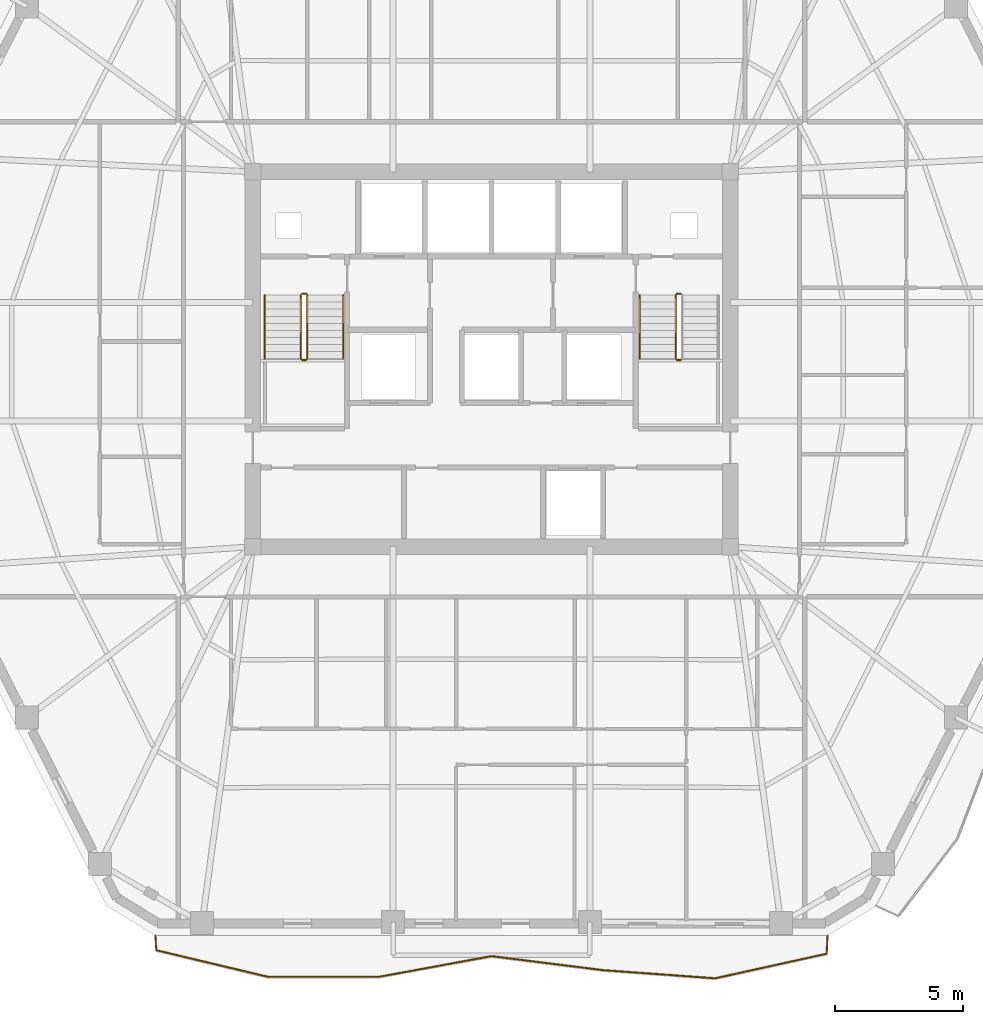
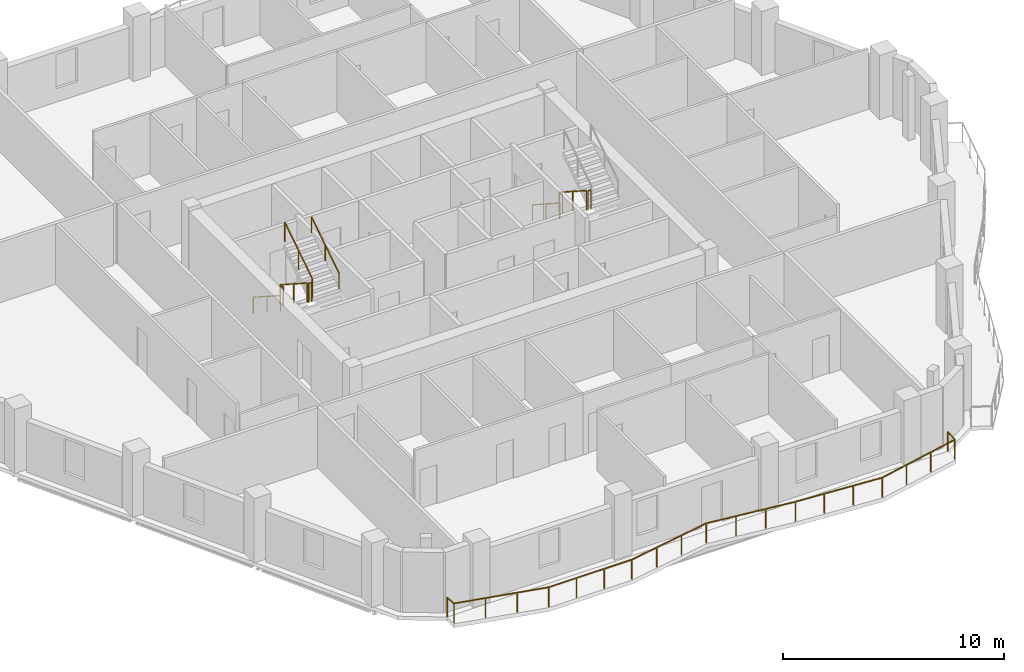
# One storey, part 9 of 10: 11 railings.
"""IFC4 building model written with IfcOpenShell, lengths in metres."""

import ifcopenshell
import ifcopenshell.guid

model = None  # the IFC model being written
_history = None  # IfcOwnerHistory: only IFC2X3 demands one
_inside = {}  # id of a spatial element -> (the spatial element, [elements in it])
_under = {}  # id of a project, library or spatial element -> (it, [spatial elements below it])
_declared = {}  # id of a project -> (the project, [libraries it declares])
_typed = {}  # id of a type object -> (the type object, [elements of that type])
_made_of = {}  # id of a material, layer set ... -> (it, [elements and type objects made of it])


def new_model(schema):
    """Start an empty IFC model of exactly this schema.

    Asked for "IFC4X3", IfcOpenShell would pick the latest addendum, in which some entities
    have other attributes; the version numbers below select the first issue.
    IFC2X3 requires an IfcOwnerHistory on every rooted entity: one is made here for all.
    """
    global model, _history
    if schema == "IFC4X3":
        model = ifcopenshell.file(schema_version=(4, 3, 0, 0))
    else:
        model = ifcopenshell.file(schema=schema)
    _inside.clear()
    _under.clear()
    _declared.clear()
    _typed.clear()
    _made_of.clear()
    _history = None
    if model.schema == "IFC2X3":
        org = make("IfcOrganization", Name="unknown")
        user = make(
            "IfcPersonAndOrganization",
            ThePerson=make("IfcPerson", FamilyName="unknown"),
            TheOrganization=org,
        )
        app = make(
            "IfcApplication",
            ApplicationDeveloper=org,
            Version="unknown",
            ApplicationFullName="unknown",
            ApplicationIdentifier="unknown",
        )
        _history = make(
            "IfcOwnerHistory",
            OwningUser=user,
            OwningApplication=app,
            ChangeAction="ADDED",
            CreationDate=0,
        )
    return model


def make(cls, **values):
    """One entity of the class cls with the attributes given. An attribute that is None is left unset."""
    return model.create_entity(
        cls, **{name: value for name, value in values.items() if value is not None}
    )


def rooted(cls, **values):
    """An entity with a GlobalId (a new one), such as an element, a storey or a relation."""
    return make(cls, GlobalId=ifcopenshell.guid.new(), OwnerHistory=_history, **values)


def si_unit(unit_type, name, prefix=None):
    """IfcSIUnit, for example si_unit("LENGTHUNIT", "METRE", prefix="MILLI")."""
    return make("IfcSIUnit", UnitType=unit_type, Prefix=prefix, Name=name)


def assignment(units):
    """IfcUnitAssignment: the units of a project."""
    return None if units is None else make("IfcUnitAssignment", Units=units)


def point(xyz):
    """IfcCartesianPoint."""
    return None if xyz is None else make("IfcCartesianPoint", Coordinates=xyz)


def direction(xyz):
    """IfcDirection."""
    return None if xyz is None else make("IfcDirection", DirectionRatios=xyz)


def frame(location, z_axis=None, x_axis=None):
    """IfcAxis2Placement3D, a coordinate frame: its origin and axes. An axis left out is left unset."""
    return make(
        "IfcAxis2Placement3D",
        Location=point(location),
        Axis=direction(z_axis),
        RefDirection=direction(x_axis),
    )


def frame_2d(location, x_axis=None):
    """IfcAxis2Placement2D, a coordinate frame in the plane: its origin and x axis."""
    return make(
        "IfcAxis2Placement2D", Location=point(location), RefDirection=direction(x_axis)
    )


def origin():
    """The frame at (0, 0, 0) with its axes left unset."""
    return frame((0.0, 0.0, 0.0))


def origin_2d():
    """The frame at (0, 0) in the plane with its x axis left unset."""
    return frame_2d((0.0, 0.0))


def place(relative_to, where):
    """IfcLocalPlacement: puts the frame where relative to a parent placement (None: the world)."""
    return make(
        "IfcLocalPlacement", PlacementRelTo=relative_to, RelativePlacement=where
    )


def context(
    kind, dimensions, precision=None, world=None, true_north=None, identifier=None
):
    """IfcGeometricRepresentationContext, for example the 3D "Model" context."""
    return make(
        "IfcGeometricRepresentationContext",
        ContextIdentifier=identifier,
        ContextType=kind,
        CoordinateSpaceDimension=dimensions,
        Precision=precision,
        WorldCoordinateSystem=world,
        TrueNorth=true_north,
    )


def subcontext(parent, identifier, kind, view, scale=None):
    """IfcGeometricRepresentationSubContext, for example "Body" below "Model"."""
    return make(
        "IfcGeometricRepresentationSubContext",
        ContextIdentifier=identifier,
        ContextType=kind,
        ParentContext=parent,
        TargetScale=scale,
        TargetView=view,
    )


def project(units=None, contexts=None):
    """IfcProject with its units and contexts."""
    return rooted(
        "IfcProject",
        Name="project",
        RepresentationContexts=contexts,
        UnitsInContext=assignment(units),
    )


def spatial(cls, under=None, at=None, **own):
    """A site, building, storey or space (cls), placed at a placement, below another one or the project."""
    s = rooted(cls, ObjectPlacement=at, **own)
    if under is not None:
        _under.setdefault(under.id(), (under, []))[1].append(s)
    return s


def profile(cls, at=None, kind="AREA", **sizes):
    """A parametric profile (cls). Its sizes go by their IFC names, for example OverallWidth=200.0."""
    return make(cls, ProfileType=kind, Position=at, **sizes)


def rectangle(**sizes):
    """IfcRectangleProfileDef."""
    return profile("IfcRectangleProfileDef", **sizes)


def extrude(swept, where, along, depth):
    """IfcExtrudedAreaSolid: the profile swept, set in the frame where, extruded along a direction by depth."""
    return make(
        "IfcExtrudedAreaSolid",
        SweptArea=swept,
        Position=where,
        ExtrudedDirection=direction(along),
        Depth=depth,
    )


def shape(context_of_items, identifier, shape_type, items):
    """IfcShapeRepresentation: the items that make up one representation, for example the "Body"."""
    return make(
        "IfcShapeRepresentation",
        ContextOfItems=context_of_items,
        RepresentationIdentifier=identifier,
        RepresentationType=shape_type,
        Items=items,
    )


def material(Name=None, Category=None):
    """IfcMaterial."""
    return make("IfcMaterial", Name=Name, Category=Category)


def made_of(thing, what):
    """Note that an element or type object is made of a material, layer set ...; save() writes the relation."""
    if what is not None:
        _made_of.setdefault(what.id(), (what, []))[1].append(thing)
    return thing


def type_object(cls, material=None, **own):
    """A type object (cls), such as IfcWallType, which elements share."""
    return made_of(rooted(cls, **own), material)


def element(
    cls,
    number,
    at=None,
    inside=None,
    cuts=None,
    type_object=None,
    material=None,
    context=None,
    identifier="Body",
    shape_type=None,
    held_by="IfcProductDefinitionShape",
    body=None,
    shapes=None,
    **own,
):
    """One element of the class cls, such as IfcWall. Its Tag is "e" and its number.

    at: its placement. inside: the storey or other place that contains it. cuts: it is an
    opening in that element (IfcRelVoidsElement). A single representation is given by context,
    identifier, shape_type and body (its items); several are given by shapes. held_by: the class
    of the entity that holds the representations. save() writes the other relations.
    """
    e = rooted(cls, Tag="e%d" % number, ObjectPlacement=at, **own)
    if body is not None:
        shapes = [shape(context, identifier, shape_type, body)]
    if shapes is not None:
        e.Representation = make(held_by, Representations=shapes)
    if inside is not None:
        _inside.setdefault(inside.id(), (inside, []))[1].append(e)
    if cuts is not None:
        rooted(
            "IfcRelVoidsElement", RelatingBuildingElement=cuts, RelatedOpeningElement=e
        )
    if type_object is not None:
        _typed.setdefault(type_object.id(), (type_object, []))[1].append(e)
    return made_of(e, material)


def aggregate(whole, parts):
    """IfcRelAggregates: a whole, such as a stair, and the parts it consists of."""
    return rooted("IfcRelAggregates", RelatingObject=whole, RelatedObjects=parts)


def save(model, path):
    """Write the relations noted so far, then the file.

    IfcRelAggregates (storeys below a building ...), IfcRelContainedInSpatialStructure (elements
    in a storey), IfcRelDefinesByType, IfcRelAssociatesMaterial and IfcRelDeclares: one each for
    every whole, place, type object, material and project.
    """
    for whole, parts in _under.values():
        aggregate(whole, parts)
    for where, things in _inside.values():
        rooted(
            "IfcRelContainedInSpatialStructure",
            RelatedElements=things,
            RelatingStructure=where,
        )
    for kind, things in _typed.values():
        rooted("IfcRelDefinesByType", RelatedObjects=things, RelatingType=kind)
    for what, things in _made_of.values():
        rooted("IfcRelAssociatesMaterial", RelatedObjects=things, RelatingMaterial=what)
    for by, libraries in _declared.values():
        rooted("IfcRelDeclares", RelatingContext=by, RelatedDefinitions=libraries)
    model.write(path)


model = new_model("IFC4")

# Units and contexts
model_context = context("Model", 3, precision=1e-05, world=origin(), true_north=direction((0.0, 1.0)))
body_context = subcontext(model_context, "Body", "Model", "MODEL_VIEW")
ifc_project = project(units=[si_unit("LENGTHUNIT", "METRE"), si_unit("AREAUNIT", "SQUARE_METRE"), si_unit("VOLUMEUNIT", "CUBIC_METRE"), si_unit("PLANEANGLEUNIT", "RADIAN"), si_unit("MASSUNIT", "GRAM", prefix="KILO")], contexts=[model_context])

# Site, building, storey
site_placement = place(None, origin())
site = spatial("IfcSite", under=ifc_project, at=site_placement, CompositionType="ELEMENT")
building_placement = place(site_placement, origin())
building = spatial("IfcBuilding", under=site, at=building_placement, Name="Cinnabar Lancet Tower", CompositionType="ELEMENT")
storey_placement = place(building_placement, frame((0.0, 0.0, 160.60009765625)))
storey = spatial("IfcBuildingStorey", under=building, at=storey_placement, Name="L42", CompositionType="ELEMENT", Elevation=160.60009765625)

# Railings
ifc_material_1 = material(Name="Laminated safety glass and bronze stainless steel balustrade", Category="steel")
railing_type_1 = type_object("IfcRailingType", Name="ENV-RLG-BAL-1100", PredefinedType="BALUSTRADE", material=ifc_material_1)
railing_1_placement = place(storey_placement, frame((19.30810546875, 3.449951171875, 0.0)))
element("IfcRailing", 1, at=railing_1_placement, inside=storey, type_object=railing_type_1, Name="L42 Face 1 Wave Balcony Balustrade", PredefinedType="BALUSTRADE", context=body_context, shape_type="SweptSolid", body=[
    extrude(rectangle(XDim=0.048095703125, YDim=0.048095703125, at=origin_2d()), frame((0.0, 0.0, 1.076171875), z_axis=(0.061893251, -0.998082774864, 0.0), x_axis=(0.998082774864, 0.061893251, 0.0)), (0.0, 0.0, 1.0), 0.56396484375),
    extrude(rectangle(XDim=0.048095703125, YDim=0.048095703125, at=origin_2d()), frame((0.034912109375, -0.56298828125, 1.076171875), z_axis=(0.972833722802, -0.231504962751, 0.0), x_axis=(0.231504962751, 0.972833722802, 0.0)), (0.0, 0.0, 1.0), 4.474609375),
    extrude(rectangle(XDim=0.048095703125, YDim=0.048095703125, at=origin_2d()), frame((4.387939453125, -1.598876953125, 1.076171875), z_axis=(0.99999937089, 0.001121704286, 0.0), x_axis=(-0.001121704286, 0.99999937089, 0.0)), (0.0, 0.0, 1.0), 4.35302734375),
    extrude(rectangle(XDim=0.048095703125, YDim=0.048095703125, at=origin_2d()), frame((8.740966796875, -1.593994140625, 1.076171875), z_axis=(0.983510323968, 0.180851991002, 0.0), x_axis=(-0.180851991002, 0.983510323968, 0.0)), (0.0, 0.0, 1.0), 4.423828125),
    extrude(rectangle(XDim=0.048095703125, YDim=0.048095703125, at=origin_2d()), frame((13.091796875, -0.7939453125, 1.076171875), z_axis=(0.992221243177, -0.124486965534, 0.0), x_axis=(0.124486965534, 0.992221243177, 0.0)), (0.0, 0.0, 1.0), 4.38525390625),
    extrude(rectangle(XDim=0.048095703125, YDim=0.048095703125, at=origin_2d()), frame((17.44287109375, -1.33984375, 1.076171875), z_axis=(0.9973403722, -0.072884717049, 0.0), x_axis=(0.072884717049, 0.9973403722, 0.0)), (0.0, 0.0, 1.0), 4.36474609375),
    extrude(rectangle(XDim=0.048095703125, YDim=0.048095703125, at=origin_2d()), frame((21.7958984375, -1.657958984375, 1.076171875), z_axis=(0.976582360931, 0.215143887478, 0.0), x_axis=(-0.215143887478, 0.976582360931, 0.0)), (0.0, 0.0, 1.0), 4.45751953125),
    extrude(rectangle(XDim=0.048095703125, YDim=0.048095703125, at=origin_2d()), frame((26.14892578125, -0.698974609375, 1.076171875), z_axis=(0.049885420004, 0.998754947357, 0.0), x_axis=(-0.998754947357, 0.049885420004, 0.0)), (0.0, 0.0, 1.0), 0.699951171875),
    extrude(rectangle(XDim=0.0419921875, YDim=0.0419921875, at=origin_2d()), origin(), (0.0, 0.0, 1.0), 1.052001953125),
    extrude(rectangle(XDim=0.0419921875, YDim=0.0419921875, at=origin_2d()), frame((0.034912109375, -0.56298828125, 0.0)), (0.0, 0.0, 1.0), 1.052001953125),
    extrude(rectangle(XDim=0.0419921875, YDim=0.0419921875, at=origin_2d()), frame((1.48583984375, -0.908203125, 0.0)), (0.0, 0.0, 1.0), 1.052001953125),
    extrude(rectangle(XDim=0.0419921875, YDim=0.0419921875, at=origin_2d()), frame((2.93701171875, -1.253662109375, 0.0)), (0.0, 0.0, 1.0), 1.052001953125),
    extrude(rectangle(XDim=0.0419921875, YDim=0.0419921875, at=origin_2d()), frame((4.387939453125, -1.598876953125, 0.0)), (0.0, 0.0, 1.0), 1.052001953125),
    extrude(rectangle(XDim=0.0419921875, YDim=0.0419921875, at=origin_2d()), frame((5.8388671875, -1.59716796875, 0.0)), (0.0, 0.0, 1.0), 1.052001953125),
    extrude(rectangle(XDim=0.0419921875, YDim=0.0419921875, at=origin_2d()), frame((7.2900390625, -1.595703125, 0.0)), (0.0, 0.0, 1.0), 1.052001953125),
    extrude(rectangle(XDim=0.0419921875, YDim=0.0419921875, at=origin_2d()), frame((8.740966796875, -1.593994140625, 0.0)), (0.0, 0.0, 1.0), 1.052001953125),
    extrude(rectangle(XDim=0.0419921875, YDim=0.0419921875, at=origin_2d()), frame((10.191162109375, -1.327392578125, 0.0)), (0.0, 0.0, 1.0), 1.052001953125),
    extrude(rectangle(XDim=0.0419921875, YDim=0.0419921875, at=origin_2d()), frame((11.6416015625, -1.060546875, 0.0)), (0.0, 0.0, 1.0), 1.052001953125),
    extrude(rectangle(XDim=0.0419921875, YDim=0.0419921875, at=origin_2d()), frame((13.091796875, -0.7939453125, 0.0)), (0.0, 0.0, 1.0), 1.052001953125),
    extrude(rectangle(XDim=0.0419921875, YDim=0.0419921875, at=origin_2d()), frame((14.542236328125, -0.975830078125, 0.0)), (0.0, 0.0, 1.0), 1.052001953125),
    extrude(rectangle(XDim=0.0419921875, YDim=0.0419921875, at=origin_2d()), frame((15.992431640625, -1.157958984375, 0.0)), (0.0, 0.0, 1.0), 1.052001953125),
    extrude(rectangle(XDim=0.0419921875, YDim=0.0419921875, at=origin_2d()), frame((17.44287109375, -1.33984375, 0.0)), (0.0, 0.0, 1.0), 1.052001953125),
    extrude(rectangle(XDim=0.0419921875, YDim=0.0419921875, at=origin_2d()), frame((18.893798828125, -1.44580078125, 0.0)), (0.0, 0.0, 1.0), 1.052001953125),
    extrude(rectangle(XDim=0.0419921875, YDim=0.0419921875, at=origin_2d()), frame((20.344970703125, -1.552001953125, 0.0)), (0.0, 0.0, 1.0), 1.052001953125),
    extrude(rectangle(XDim=0.0419921875, YDim=0.0419921875, at=origin_2d()), frame((21.7958984375, -1.657958984375, 0.0)), (0.0, 0.0, 1.0), 1.052001953125),
    extrude(rectangle(XDim=0.0419921875, YDim=0.0419921875, at=origin_2d()), frame((23.246826171875, -1.33837890625, 0.0)), (0.0, 0.0, 1.0), 1.052001953125),
    extrude(rectangle(XDim=0.0419921875, YDim=0.0419921875, at=origin_2d()), frame((24.697998046875, -1.0185546875, 0.0)), (0.0, 0.0, 1.0), 1.052001953125),
    extrude(rectangle(XDim=0.0419921875, YDim=0.0419921875, at=origin_2d()), frame((26.14892578125, -0.698974609375, 0.0)), (0.0, 0.0, 1.0), 1.052001953125),
    extrude(rectangle(XDim=0.0419921875, YDim=0.0419921875, at=origin_2d()), frame((26.183837890625, 0.0, 0.0)), (0.0, 0.0, 1.0), 1.052001953125),
])
ifc_material_2 = material(Name="Painted galvanized steel balustrade", Category="steel")
railing_type_2 = type_object("IfcRailingType", Name="GUARD-STAIR", PredefinedType="GUARDRAIL", material=ifc_material_2)
railing_2_placement = place(storey_placement, frame((24.97509765625, 28.39990234375, 0.177490234375)))
element("IfcRailing", 2, at=railing_2_placement, inside=storey, type_object=railing_type_2, Name="L42 ST-1 stair guard 1", PredefinedType="GUARDRAIL", context=body_context, shape_type="SweptSolid", body=[
    extrude(rectangle(XDim=0.048095703125, YDim=0.048095703125, at=origin_2d()), frame((0.0, 0.0, 1.076171875), z_axis=(0.0, -0.840183358697, 0.542302428327), x_axis=(1.0, 0.0, 0.0)), (0.0, 0.0, 1.0), 2.945556640625),
    extrude(rectangle(XDim=0.0419921875, YDim=0.0419921875, at=origin_2d()), origin(), (0.0, 0.0, 1.0), 1.052001953125),
    extrude(rectangle(XDim=0.0419921875, YDim=0.0419921875, at=origin_2d()), frame((0.0, -1.2373046875, 0.798828125)), (0.0, 0.0, 1.0), 1.052001953125),
    extrude(rectangle(XDim=0.0419921875, YDim=0.0419921875, at=origin_2d()), frame((0.0, -2.474853515625, 1.597412109375)), (0.0, 0.0, 1.0), 1.052001953125),
])
railing_3_placement = place(storey_placement, frame((25.02490234375, 25.875, 1.77490234375)))
element("IfcRailing", 3, at=railing_3_placement, inside=storey, type_object=railing_type_2, Name="L42 ST-1 stair guard 2", PredefinedType="GUARDRAIL", context=body_context, shape_type="SweptSolid", body=[
    extrude(rectangle(XDim=0.048095703125, YDim=0.048095703125, at=origin_2d()), frame((0.0, 0.0, 1.076171875), z_axis=(1.0, 0.0, 0.0), x_axis=(0.0, 1.0, 0.0)), (0.0, 0.0, 1.0), 0.150146484375),
    extrude(rectangle(XDim=0.0419921875, YDim=0.0419921875, at=origin_2d()), origin(), (0.0, 0.0, 1.0), 1.052001953125),
    extrude(rectangle(XDim=0.0419921875, YDim=0.0419921875, at=origin_2d()), frame((0.150146484375, 0.0, 0.0)), (0.0, 0.0, 1.0), 1.052001953125),
])
railing_4_placement = place(storey_placement, frame((25.22509765625, 25.925048828125, 1.952392578125)))
element("IfcRailing", 4, at=railing_4_placement, inside=storey, type_object=railing_type_2, Name="L42 ST-1 stair guard 3", PredefinedType="GUARDRAIL", context=body_context, shape_type="SweptSolid", body=[
    extrude(rectangle(XDim=0.048095703125, YDim=0.048095703125, at=origin_2d()), frame((0.0, 0.0, 1.076171875), z_axis=(0.0, 0.840183358697, 0.542302428327), x_axis=(-1.0, 0.0, 0.0)), (0.0, 0.0, 1.0), 2.945556640625),
    extrude(rectangle(XDim=0.0419921875, YDim=0.0419921875, at=origin_2d()), origin(), (0.0, 0.0, 1.0), 1.052001953125),
    extrude(rectangle(XDim=0.0419921875, YDim=0.0419921875, at=origin_2d()), frame((0.0, 1.2373046875, 0.798828125)), (0.0, 0.0, 1.0), 1.052001953125),
    extrude(rectangle(XDim=0.0419921875, YDim=0.0419921875, at=origin_2d()), frame((0.0, 2.474853515625, 1.597412109375)), (0.0, 0.0, 1.0), 1.052001953125),
])
railing_5_placement = place(storey_placement, frame((25.02490234375, 28.449951171875, 0.0)))
element("IfcRailing", 5, at=railing_5_placement, inside=storey, type_object=railing_type_2, Name="L42 ST-1 stair guard 4", PredefinedType="GUARDRAIL", context=body_context, shape_type="SweptSolid", body=[
    extrude(rectangle(XDim=0.048095703125, YDim=0.048095703125, at=origin_2d()), frame((0.0, 0.0, 1.076171875), z_axis=(1.0, 0.0, 0.0), x_axis=(0.0, 1.0, 0.0)), (0.0, 0.0, 1.0), 0.150146484375),
    extrude(rectangle(XDim=0.0419921875, YDim=0.0419921875, at=origin_2d()), origin(), (0.0, 0.0, 1.0), 1.052001953125),
    extrude(rectangle(XDim=0.0419921875, YDim=0.0419921875, at=origin_2d()), frame((0.150146484375, 0.0, 0.0)), (0.0, 0.0, 1.0), 1.052001953125),
])
railing_6_placement = place(storey_placement, frame((39.574951171875, 28.39990234375, 0.177490234375)))
element("IfcRailing", 6, at=railing_6_placement, inside=storey, type_object=railing_type_2, Name="L42 ST-2 stair guard 1", PredefinedType="GUARDRAIL", context=body_context, shape_type="SweptSolid", body=[
    extrude(rectangle(XDim=0.048095703125, YDim=0.048095703125, at=origin_2d()), frame((0.0, 0.0, 1.076171875), z_axis=(0.0, -0.840183358697, 0.542302428327), x_axis=(1.0, 0.0, 0.0)), (0.0, 0.0, 1.0), 2.945556640625),
    extrude(rectangle(XDim=0.0419921875, YDim=0.0419921875, at=origin_2d()), origin(), (0.0, 0.0, 1.0), 1.052001953125),
    extrude(rectangle(XDim=0.0419921875, YDim=0.0419921875, at=origin_2d()), frame((0.0, -1.2373046875, 0.798828125)), (0.0, 0.0, 1.0), 1.052001953125),
    extrude(rectangle(XDim=0.0419921875, YDim=0.0419921875, at=origin_2d()), frame((0.0, -2.474853515625, 1.597412109375)), (0.0, 0.0, 1.0), 1.052001953125),
])
for number, where, name in (
    (7, (39.625, 25.875, 1.77490234375), "L42 ST-2 stair guard 2"),
    (8, (39.625, 28.449951171875, 0.0), "L42 ST-2 stair guard 4"),
):
    element("IfcRailing", number, at=place(storey_placement, frame(where)), inside=storey, type_object=railing_type_2, Name=name, PredefinedType="GUARDRAIL", context=body_context, shape_type="SweptSolid", body=[
        extrude(rectangle(XDim=0.048095703125, YDim=0.048095703125, at=origin_2d()), frame((0.0, 0.0, 1.076171875), z_axis=(1.0, 0.0, 0.0), x_axis=(0.0, 1.0, 0.0)), (0.0, 0.0, 1.0), 0.14990234375),
        extrude(rectangle(XDim=0.0419921875, YDim=0.0419921875, at=origin_2d()), origin(), (0.0, 0.0, 1.0), 1.052001953125),
        extrude(rectangle(XDim=0.0419921875, YDim=0.0419921875, at=origin_2d()), frame((0.14990234375, 0.0, 0.0)), (0.0, 0.0, 1.0), 1.052001953125),
    ])
ifc_material_3 = material(Name="Brushed stainless steel handrail", Category="steel")
railing_type_3 = type_object("IfcRailingType", Name="HANDRAIL-STAIR", PredefinedType="HANDRAIL", material=ifc_material_3)
railing_7_placement = place(storey_placement, frame((23.574951171875, 28.39990234375, 0.177490234375)))
element("IfcRailing", 9, at=railing_7_placement, inside=storey, type_object=railing_type_3, Name="L42 ST-1 stair handrail 1", PredefinedType="HANDRAIL", context=body_context, shape_type="SweptSolid", body=[
    extrude(rectangle(XDim=0.048095703125, YDim=0.048095703125, at=origin_2d()), frame((0.0, 0.0, 0.8759765625), z_axis=(0.0, -0.840183358697, 0.542302428327), x_axis=(1.0, 0.0, 0.0)), (0.0, 0.0, 1.0), 2.945556640625),
    extrude(rectangle(XDim=0.0419921875, YDim=0.0419921875, at=origin_2d()), origin(), (0.0, 0.0, 1.0), 0.851806640625),
    extrude(rectangle(XDim=0.0419921875, YDim=0.0419921875, at=origin_2d()), frame((0.0, -1.2373046875, 0.798828125)), (0.0, 0.0, 1.0), 0.851806640625),
    extrude(rectangle(XDim=0.0419921875, YDim=0.0419921875, at=origin_2d()), frame((0.0, -2.474853515625, 1.597412109375)), (0.0, 0.0, 1.0), 0.851806640625),
])
railing_8_placement = place(storey_placement, frame((26.625, 25.925048828125, 1.952392578125)))
element("IfcRailing", 10, at=railing_8_placement, inside=storey, type_object=railing_type_3, Name="L42 ST-1 stair handrail 2", PredefinedType="HANDRAIL", context=body_context, shape_type="SweptSolid", body=[
    extrude(rectangle(XDim=0.048095703125, YDim=0.048095703125, at=origin_2d()), frame((0.0, 0.0, 0.8759765625), z_axis=(0.0, 0.840183358697, 0.542302428327), x_axis=(-1.0, 0.0, 0.0)), (0.0, 0.0, 1.0), 2.945556640625),
    extrude(rectangle(XDim=0.0419921875, YDim=0.0419921875, at=origin_2d()), origin(), (0.0, 0.0, 1.0), 0.851806640625),
    extrude(rectangle(XDim=0.0419921875, YDim=0.0419921875, at=origin_2d()), frame((0.0, 1.2373046875, 0.798828125)), (0.0, 0.0, 1.0), 0.851806640625),
    extrude(rectangle(XDim=0.0419921875, YDim=0.0419921875, at=origin_2d()), frame((0.0, 2.474853515625, 1.597412109375)), (0.0, 0.0, 1.0), 0.851806640625),
])
railing_9_placement = place(storey_placement, frame((38.175048828125, 28.39990234375, 0.177490234375)))
element("IfcRailing", 11, at=railing_9_placement, inside=storey, type_object=railing_type_3, Name="L42 ST-2 stair handrail 1", PredefinedType="HANDRAIL", context=body_context, shape_type="SweptSolid", body=[
    extrude(rectangle(XDim=0.048095703125, YDim=0.048095703125, at=origin_2d()), frame((0.0, 0.0, 0.8759765625), z_axis=(0.0, -0.840183358697, 0.542302428327), x_axis=(1.0, 0.0, 0.0)), (0.0, 0.0, 1.0), 2.945556640625),
    extrude(rectangle(XDim=0.0419921875, YDim=0.0419921875, at=origin_2d()), origin(), (0.0, 0.0, 1.0), 0.851806640625),
    extrude(rectangle(XDim=0.0419921875, YDim=0.0419921875, at=origin_2d()), frame((0.0, -1.2373046875, 0.798828125)), (0.0, 0.0, 1.0), 0.851806640625),
    extrude(rectangle(XDim=0.0419921875, YDim=0.0419921875, at=origin_2d()), frame((0.0, -2.474853515625, 1.597412109375)), (0.0, 0.0, 1.0), 0.851806640625),
])

save(model, "model.ifc")
